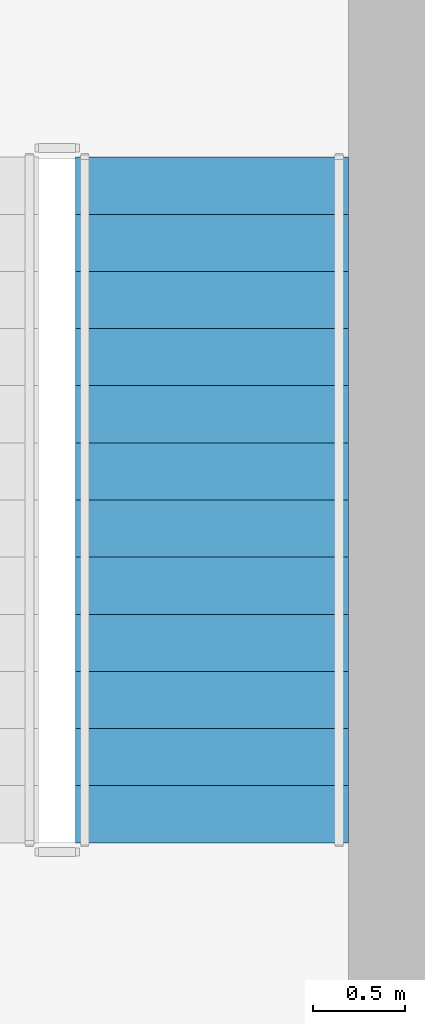
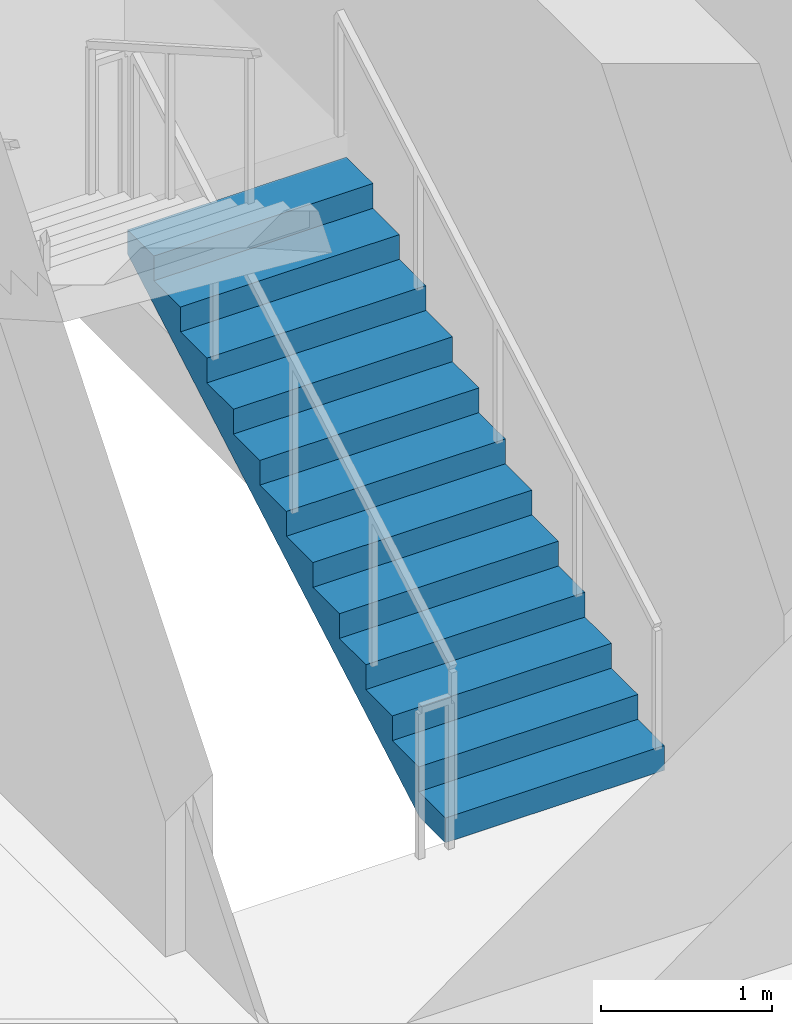
# One storey, part 6 of 10: 1 stair flight, 1 element without a shape of its own.
"""IFC4 building model written with IfcOpenShell, lengths in metres."""

import ifcopenshell
import ifcopenshell.guid

model = None  # the IFC model being written
_history = None  # IfcOwnerHistory: only IFC2X3 demands one
_inside = {}  # id of a spatial element -> (the spatial element, [elements in it])
_under = {}  # id of a project, library or spatial element -> (it, [spatial elements below it])
_declared = {}  # id of a project -> (the project, [libraries it declares])
_typed = {}  # id of a type object -> (the type object, [elements of that type])
_made_of = {}  # id of a material, layer set ... -> (it, [elements and type objects made of it])


def new_model(schema):
    """Start an empty IFC model of exactly this schema.

    Asked for "IFC4X3", IfcOpenShell would pick the latest addendum, in which some entities
    have other attributes; the version numbers below select the first issue.
    IFC2X3 requires an IfcOwnerHistory on every rooted entity: one is made here for all.
    """
    global model, _history
    if schema == "IFC4X3":
        model = ifcopenshell.file(schema_version=(4, 3, 0, 0))
    else:
        model = ifcopenshell.file(schema=schema)
    _inside.clear()
    _under.clear()
    _declared.clear()
    _typed.clear()
    _made_of.clear()
    _history = None
    if model.schema == "IFC2X3":
        org = make("IfcOrganization", Name="unknown")
        user = make(
            "IfcPersonAndOrganization",
            ThePerson=make("IfcPerson", FamilyName="unknown"),
            TheOrganization=org,
        )
        app = make(
            "IfcApplication",
            ApplicationDeveloper=org,
            Version="unknown",
            ApplicationFullName="unknown",
            ApplicationIdentifier="unknown",
        )
        _history = make(
            "IfcOwnerHistory",
            OwningUser=user,
            OwningApplication=app,
            ChangeAction="ADDED",
            CreationDate=0,
        )
    return model


def make(cls, **values):
    """One entity of the class cls with the attributes given. An attribute that is None is left unset."""
    return model.create_entity(
        cls, **{name: value for name, value in values.items() if value is not None}
    )


def rooted(cls, **values):
    """An entity with a GlobalId (a new one), such as an element, a storey or a relation."""
    return make(cls, GlobalId=ifcopenshell.guid.new(), OwnerHistory=_history, **values)


def si_unit(unit_type, name, prefix=None):
    """IfcSIUnit, for example si_unit("LENGTHUNIT", "METRE", prefix="MILLI")."""
    return make("IfcSIUnit", UnitType=unit_type, Prefix=prefix, Name=name)


def assignment(units):
    """IfcUnitAssignment: the units of a project."""
    return None if units is None else make("IfcUnitAssignment", Units=units)


def point(xyz):
    """IfcCartesianPoint."""
    return None if xyz is None else make("IfcCartesianPoint", Coordinates=xyz)


def direction(xyz):
    """IfcDirection."""
    return None if xyz is None else make("IfcDirection", DirectionRatios=xyz)


def frame(location, z_axis=None, x_axis=None):
    """IfcAxis2Placement3D, a coordinate frame: its origin and axes. An axis left out is left unset."""
    return make(
        "IfcAxis2Placement3D",
        Location=point(location),
        Axis=direction(z_axis),
        RefDirection=direction(x_axis),
    )


def origin():
    """The frame at (0, 0, 0) with its axes left unset."""
    return frame((0.0, 0.0, 0.0))


def place(relative_to, where):
    """IfcLocalPlacement: puts the frame where relative to a parent placement (None: the world)."""
    return make(
        "IfcLocalPlacement", PlacementRelTo=relative_to, RelativePlacement=where
    )


def context(
    kind, dimensions, precision=None, world=None, true_north=None, identifier=None
):
    """IfcGeometricRepresentationContext, for example the 3D "Model" context."""
    return make(
        "IfcGeometricRepresentationContext",
        ContextIdentifier=identifier,
        ContextType=kind,
        CoordinateSpaceDimension=dimensions,
        Precision=precision,
        WorldCoordinateSystem=world,
        TrueNorth=true_north,
    )


def subcontext(parent, identifier, kind, view, scale=None):
    """IfcGeometricRepresentationSubContext, for example "Body" below "Model"."""
    return make(
        "IfcGeometricRepresentationSubContext",
        ContextIdentifier=identifier,
        ContextType=kind,
        ParentContext=parent,
        TargetScale=scale,
        TargetView=view,
    )


def project(units=None, contexts=None):
    """IfcProject with its units and contexts."""
    return rooted(
        "IfcProject",
        Name="project",
        RepresentationContexts=contexts,
        UnitsInContext=assignment(units),
    )


def spatial(cls, under=None, at=None, **own):
    """A site, building, storey or space (cls), placed at a placement, below another one or the project."""
    s = rooted(cls, ObjectPlacement=at, **own)
    if under is not None:
        _under.setdefault(under.id(), (under, []))[1].append(s)
    return s


def polyline(points):
    """IfcPolyline through the points."""
    return make("IfcPolyline", Points=[point(p) for p in points])


def outline(outer, holes=None, kind="AREA"):
    """IfcArbitraryClosedProfileDef: a profile drawn as a closed curve; with holes, ...WithVoids."""
    if holes is None:
        return make("IfcArbitraryClosedProfileDef", ProfileType=kind, OuterCurve=outer)
    return make(
        "IfcArbitraryProfileDefWithVoids",
        ProfileType=kind,
        OuterCurve=outer,
        InnerCurves=holes,
    )


def extrude(swept, where, along, depth):
    """IfcExtrudedAreaSolid: the profile swept, set in the frame where, extruded along a direction by depth."""
    return make(
        "IfcExtrudedAreaSolid",
        SweptArea=swept,
        Position=where,
        ExtrudedDirection=direction(along),
        Depth=depth,
    )


def shape(context_of_items, identifier, shape_type, items):
    """IfcShapeRepresentation: the items that make up one representation, for example the "Body"."""
    return make(
        "IfcShapeRepresentation",
        ContextOfItems=context_of_items,
        RepresentationIdentifier=identifier,
        RepresentationType=shape_type,
        Items=items,
    )


def material(Name=None, Category=None):
    """IfcMaterial."""
    return make("IfcMaterial", Name=Name, Category=Category)


def made_of(thing, what):
    """Note that an element or type object is made of a material, layer set ...; save() writes the relation."""
    if what is not None:
        _made_of.setdefault(what.id(), (what, []))[1].append(thing)
    return thing


def type_object(cls, material=None, **own):
    """A type object (cls), such as IfcWallType, which elements share."""
    return made_of(rooted(cls, **own), material)


def element(
    cls,
    number,
    at=None,
    inside=None,
    cuts=None,
    type_object=None,
    material=None,
    context=None,
    identifier="Body",
    shape_type=None,
    held_by="IfcProductDefinitionShape",
    body=None,
    shapes=None,
    **own,
):
    """One element of the class cls, such as IfcWall. Its Tag is "e" and its number.

    at: its placement. inside: the storey or other place that contains it. cuts: it is an
    opening in that element (IfcRelVoidsElement). A single representation is given by context,
    identifier, shape_type and body (its items); several are given by shapes. held_by: the class
    of the entity that holds the representations. save() writes the other relations.
    """
    e = rooted(cls, Tag="e%d" % number, ObjectPlacement=at, **own)
    if body is not None:
        shapes = [shape(context, identifier, shape_type, body)]
    if shapes is not None:
        e.Representation = make(held_by, Representations=shapes)
    if inside is not None:
        _inside.setdefault(inside.id(), (inside, []))[1].append(e)
    if cuts is not None:
        rooted(
            "IfcRelVoidsElement", RelatingBuildingElement=cuts, RelatedOpeningElement=e
        )
    if type_object is not None:
        _typed.setdefault(type_object.id(), (type_object, []))[1].append(e)
    return made_of(e, material)


def aggregate(whole, parts):
    """IfcRelAggregates: a whole, such as a stair, and the parts it consists of."""
    return rooted("IfcRelAggregates", RelatingObject=whole, RelatedObjects=parts)


def save(model, path):
    """Write the relations noted so far, then the file.

    IfcRelAggregates (storeys below a building ...), IfcRelContainedInSpatialStructure (elements
    in a storey), IfcRelDefinesByType, IfcRelAssociatesMaterial and IfcRelDeclares: one each for
    every whole, place, type object, material and project.
    """
    for whole, parts in _under.values():
        aggregate(whole, parts)
    for where, things in _inside.values():
        rooted(
            "IfcRelContainedInSpatialStructure",
            RelatedElements=things,
            RelatingStructure=where,
        )
    for kind, things in _typed.values():
        rooted("IfcRelDefinesByType", RelatedObjects=things, RelatingType=kind)
    for what, things in _made_of.values():
        rooted("IfcRelAssociatesMaterial", RelatedObjects=things, RelatingMaterial=what)
    for by, libraries in _declared.values():
        rooted("IfcRelDeclares", RelatingContext=by, RelatedDefinitions=libraries)
    model.write(path)


model = new_model("IFC4")

# Units and contexts
model_context = context("Model", 3, precision=1e-05, world=origin(), true_north=direction((0.0, 1.0)))
body_context = subcontext(model_context, "Body", "Model", "MODEL_VIEW")
ifc_project = project(units=[si_unit("LENGTHUNIT", "METRE"), si_unit("AREAUNIT", "SQUARE_METRE"), si_unit("VOLUMEUNIT", "CUBIC_METRE"), si_unit("PLANEANGLEUNIT", "RADIAN"), si_unit("MASSUNIT", "GRAM", prefix="KILO")], contexts=[model_context])

# Site, building, storey
site_placement = place(None, origin())
site = spatial("IfcSite", under=ifc_project, at=site_placement, CompositionType="ELEMENT")
building_placement = place(site_placement, origin())
building = spatial("IfcBuilding", under=site, at=building_placement, Name="Solanera Arch Residences", CompositionType="ELEMENT")
storey_placement = place(building_placement, frame((0.0, 0.0, 226.679931640625)))
storey = spatial("IfcBuildingStorey", under=building, at=storey_placement, Name="L66", CompositionType="ELEMENT", Elevation=226.679931640625)

# Stair, stair flight
ifc_material_1 = material(Name="Concrete C40/50 (f'c = 45 MPa)", Category="concrete")
stair_type = type_object("IfcStairType", Name="Tower Dogleg Exit Stair 1480", PredefinedType="HALF_TURN_STAIR", material=ifc_material_1)
stair_placement = place(storey_placement, origin())
stair = element("IfcStair", 1, at=stair_placement, inside=storey, type_object=stair_type, Name="L66 Tower Core Exit Stair 2", PredefinedType="HALF_TURN_STAIR")
ifc_material_2 = material(Name="Concrete C40/50 (f'c = 45 MPa)", Category="concrete")
stair_flight_type = type_object("IfcStairFlightType", Name="Tower Precast Stair Flight 1480", PredefinedType="STRAIGHT", material=ifc_material_2)
stair_flight_placement = place(storey_placement, frame((35.320068359375, 32.47998046875, 0.0), z_axis=(0.0, 0.0, 1.0), x_axis=(0.0, 1.0, 0.0)))
stair_flight = element("IfcStairFlight", 2, at=stair_flight_placement, type_object=stair_flight_type, Name="ST-T2 flight 1", NumberOfRisers=13, NumberOfTreads=12, PredefinedType="STRAIGHT", RiserHeight=0.176923077, TreadLength=0.31, context=body_context, shape_type="SweptSolid", body=[
    extrude(outline(polyline([(0.0, 0.0), (0.0, 0.177001953125), (0.31005859375, 0.177001953125), (0.31005859375, 0.353759765625), (0.6201171875, 0.353759765625), (0.6201171875, 0.53076171875), (0.929931640625, 0.53076171875), (0.929931640625, 0.707763671875), (1.239990234375, 0.707763671875), (1.239990234375, 0.884521484375), (1.550048828125, 0.884521484375), (1.550048828125, 1.0615234375), (1.860107421875, 1.0615234375), (1.860107421875, 1.238525390625), (2.169921875, 1.238525390625), (2.169921875, 1.415283203125), (2.47998046875, 1.415283203125), (2.47998046875, 1.59228515625), (2.7900390625, 1.59228515625), (2.7900390625, 1.769287109375), (3.10009765625, 1.769287109375), (3.10009765625, 1.946044921875), (3.409912109375, 1.946044921875), (3.409912109375, 2.123046875), (3.719970703125, 2.123046875), (3.719970703125, 2.300048828125), (3.719970703125, 1.950439453125), (0.302490234375, 0.0), (0.0, 0.0)])), frame((0.0, 0.739990234375, 0.0), z_axis=(0.0, -1.0, 0.0), x_axis=(1.0, 0.0, 0.0)), (0.0, 0.0, 1.0), 1.47998046875),
])
aggregate(stair, [stair_flight])

save(model, "model.ifc")
